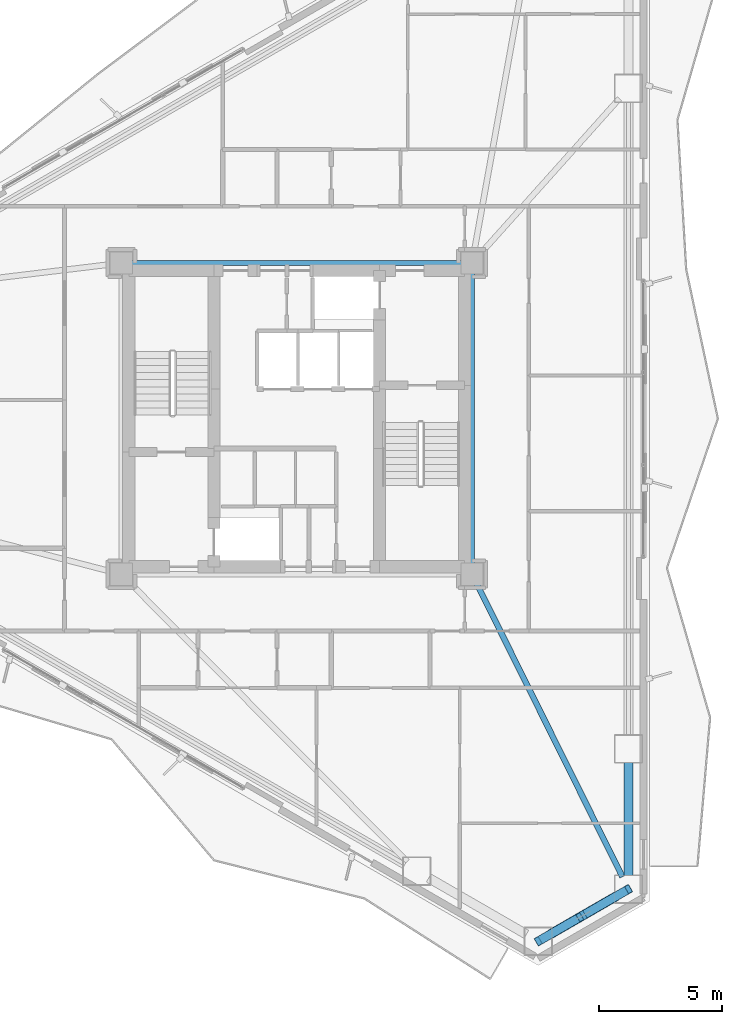
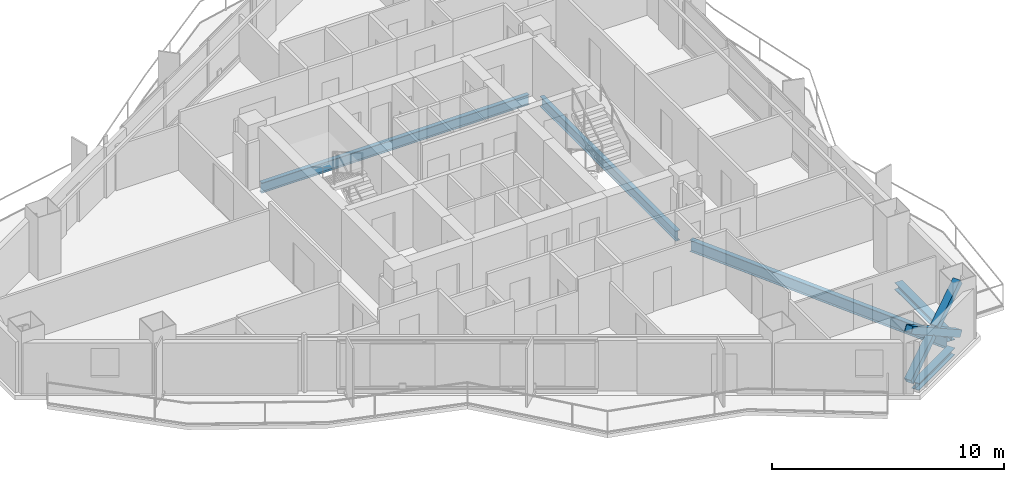
# One storey, part 7 of 22: 5 beams, 3 members.
"""IFC4 building model written with IfcOpenShell, lengths in metres."""

from ifc_helpers import new_model, si_unit, direction, frame, origin, origin_2d, place, context, subcontext, project, spatial, hollow_rectangle, i_section, extrude, material, material_profile, profile_set, type_object, element, save


model = new_model("IFC4")

# Units and contexts
model_context = context("Model", 3, precision=1e-05, world=origin(), true_north=direction((0.0, 1.0)))
body_context = subcontext(model_context, "Body", "Model", "MODEL_VIEW")
ifc_project = project(units=[si_unit("LENGTHUNIT", "METRE"), si_unit("AREAUNIT", "SQUARE_METRE"), si_unit("VOLUMEUNIT", "CUBIC_METRE"), si_unit("PLANEANGLEUNIT", "RADIAN"), si_unit("MASSUNIT", "GRAM", prefix="KILO")], contexts=[model_context])

# Site, building, storey
site_placement = place(None, origin())
site = spatial("IfcSite", under=ifc_project, at=site_placement, CompositionType="ELEMENT")
building_placement = place(site_placement, origin())
building = spatial("IfcBuilding", under=site, at=building_placement, Name="Mersakhor Tower and Convention Hall", CompositionType="ELEMENT")
storey_placement = place(building_placement, frame((0.0, 0.0, 86.699951171875)))
storey = spatial("IfcBuildingStorey", under=building, at=storey_placement, Name="L23", CompositionType="ELEMENT", Elevation=86.699951171875)

# Beams
ifc_material_1 = material(Name="Steel S355", Category="steel")
ifc_material_profile_1 = material_profile(ifc_material_1, i_section(OverallWidth=0.2099609375, OverallDepth=0.53662109375, WebThickness=0.0107421875, FlangeThickness=0.017333984375, at=origin_2d()), Name="UB 533x210x101")
ifc_profile_set_1 = profile_set([ifc_material_profile_1], Name="Steel S355")
beam_type_1 = type_object("IfcBeamType", Name="BM-FB-533", PredefinedType="BEAM", material=ifc_profile_set_1)
beam_1_placement = place(storey_placement, frame((22.330078125, 33.050048828125, -0.518310546875), z_axis=(1.0, 0.0, 0.0), x_axis=(0.0, 1.0, 0.0)))
element("IfcBeam", 1, at=beam_1_placement, inside=storey, type_object=beam_type_1, Name="L23 Core Ring Tie Beam CRB-2", PredefinedType="BEAM", context=body_context, shape_type="SweptSolid", body=[
    extrude(i_section(OverallWidth=0.2099609375, OverallDepth=0.53662109375, WebThickness=0.0107421875, FlangeThickness=0.017333984375, at=origin_2d()), origin(), (0.0, 0.0, 1.0), 13.33984375),
])
beam_2_placement = place(storey_placement, frame((36.10009765625, 32.6201171875, -0.518310546875), z_axis=(0.0, -1.0, 0.0), x_axis=(1.0, 0.0, 0.0)))
element("IfcBeam", 2, at=beam_2_placement, inside=storey, type_object=beam_type_1, Name="L23 Core Ring Tie Beam CRB-3", PredefinedType="BEAM", context=body_context, shape_type="SweptSolid", body=[
    extrude(i_section(OverallWidth=0.2099609375, OverallDepth=0.53662109375, WebThickness=0.0107421875, FlangeThickness=0.017333984375, at=origin_2d()), origin(), (0.0, 0.0, 1.0), 11.740234375),
])
ifc_material_2 = material(Name="Steel S355", Category="steel")
ifc_material_profile_2 = material_profile(ifc_material_2, i_section(OverallWidth=0.22900390625, OverallDepth=0.6123046875, WebThickness=0.011962890625, FlangeThickness=0.01953125, at=origin_2d()), Name="UB 610x229x125")
ifc_profile_set_2 = profile_set([ifc_material_profile_2], Name="Steel S355")
beam_type_2 = type_object("IfcBeamType", Name="BM-PR-610", PredefinedType="BEAM", material=ifc_profile_set_2)
beam_3_placement = place(storey_placement, frame((36.291259765625, 20.06494140625, -0.55615234375), z_axis=(0.444993792004, -0.895533653794, 0.0), x_axis=(0.895533653794, 0.444993792004, 0.0)))
element("IfcBeam", 3, at=beam_3_placement, inside=storey, type_object=beam_type_2, Name="L23 Primary Floor Girder FG-4", PredefinedType="BEAM", context=body_context, shape_type="SweptSolid", body=[
    extrude(i_section(OverallWidth=0.22900390625, OverallDepth=0.6123046875, WebThickness=0.011962890625, FlangeThickness=0.01953125, at=origin_2d()), origin(), (0.0, 0.0, 1.0), 13.250244140625),
])
ifc_material_3 = material(Name="Steel S355", Category="steel")
ifc_material_profile_3 = material_profile(ifc_material_3, i_section(OverallWidth=0.374755859375, OverallDepth=0.37451171875, WebThickness=0.0166015625, FlangeThickness=0.027099609375, at=origin_2d()), Name="UC 356x368x202")
ifc_profile_set_3 = profile_set([ifc_material_profile_3], Name="Steel S355")
beam_type_3 = type_object("IfcBeamType", Name="BM-SPD-UC356", PredefinedType="SPANDREL", material=ifc_profile_set_3)
beam_4_placement = place(storey_placement, frame((42.4345703125, 12.8232421875, -0.437255859375), z_axis=(0.0, -1.0, 0.0), x_axis=(1.0, 0.0, 0.0)))
element("IfcBeam", 4, at=beam_4_placement, inside=storey, type_object=beam_type_3, Name="L23 Perimeter Spandrel Beam SPB-07", PredefinedType="SPANDREL", context=body_context, shape_type="SweptSolid", body=[
    extrude(i_section(OverallWidth=0.374755859375, OverallDepth=0.37451171875, WebThickness=0.0166015625, FlangeThickness=0.027099609375, at=origin_2d()), origin(), (0.0, 0.0, 1.0), 4.566162109375),
])
beam_5_placement = place(storey_placement, frame((41.9541015625, 7.424560546875, -0.437255859375), z_axis=(-0.866052319632, -0.499953377486, 0.0), x_axis=(0.499953377486, -0.866052319632, 0.0)))
element("IfcBeam", 5, at=beam_5_placement, inside=storey, type_object=beam_type_3, Name="L23 Perimeter Spandrel Beam SPB-08", PredefinedType="SPANDREL", context=body_context, shape_type="SweptSolid", body=[
    extrude(i_section(OverallWidth=0.374755859375, OverallDepth=0.37451171875, WebThickness=0.0166015625, FlangeThickness=0.027099609375, at=origin_2d()), origin(), (0.0, 0.0, 1.0), 3.111572265625),
])

# Members
ifc_material_4 = material(Name="Steel S460", Category="steel")
ifc_material_profile_4 = material_profile(ifc_material_4, hollow_rectangle(XDim=0.35009765625, YDim=0.35009765625, WallThickness=0.02001953125, at=origin_2d()), Name="SHS 350x350x20")
ifc_profile_set_4 = profile_set([ifc_material_profile_4], Name="Steel S460")
member_type = type_object("IfcMemberType", Name="MB-BRC-SHS350", PredefinedType="BRACE", material=ifc_profile_set_4)
member_1_placement = place(storey_placement, frame((42.4345703125, 7.701904296875, 0.150146484375), z_axis=(-0.725633725484, -0.418933054415, 0.545848689986), x_axis=(0.49998946241, -0.866031487579, 0.0)))
element("IfcMember", 6, at=member_1_placement, inside=storey, type_object=member_type, Name="L23 Chamfer Braced Frame Diagonal CB-2A", PredefinedType="BRACE", context=body_context, shape_type="SweptSolid", body=[
    extrude(hollow_rectangle(XDim=0.35009765625, YDim=0.35009765625, WallThickness=0.02001953125, at=origin_2d()), origin(), (0.0, 0.0, 1.0), 5.0380859375),
])
member_2_placement = place(storey_placement, frame((38.77880859375, 5.59130859375, 0.150146484375), z_axis=(0.725635037856, 0.418918980369, 0.545857746783), x_axis=(-0.499976186015, 0.866039152359, 0.0)))
element("IfcMember", 7, at=member_2_placement, inside=storey, type_object=member_type, Name="L23 Chamfer Braced Frame Diagonal CB-2B Lower Half", PredefinedType="BRACE", context=body_context, shape_type="SweptSolid", body=[
    extrude(hollow_rectangle(XDim=0.35009765625, YDim=0.35009765625, WallThickness=0.02001953125, at=origin_2d()), origin(), (0.0, 0.0, 1.0), 2.319580078125),
])
member_3_placement = place(storey_placement, frame((40.751220703125, 6.730224609375, 1.6337890625), z_axis=(0.725643177862, 0.418862922102, 0.545889943955), x_axis=(-0.499921796684, 0.866070549782, 0.0)))
element("IfcMember", 8, at=member_3_placement, inside=storey, type_object=member_type, Name="L23 Chamfer Braced Frame Diagonal CB-2B Upper Half", PredefinedType="BRACE", context=body_context, shape_type="SweptSolid", body=[
    extrude(hollow_rectangle(XDim=0.35009765625, YDim=0.35009765625, WallThickness=0.02001953125, at=origin_2d()), origin(), (0.0, 0.0, 1.0), 2.31982421875),
])

save(model, "model.ifc")
